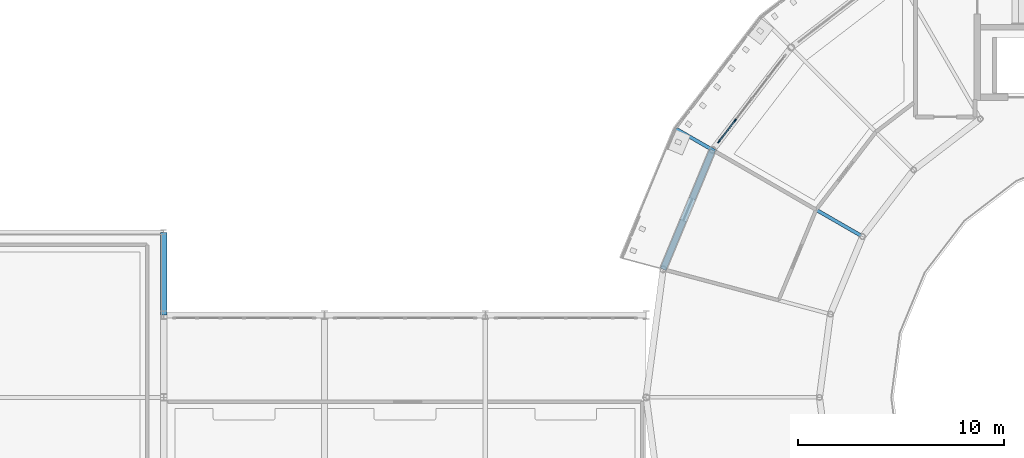
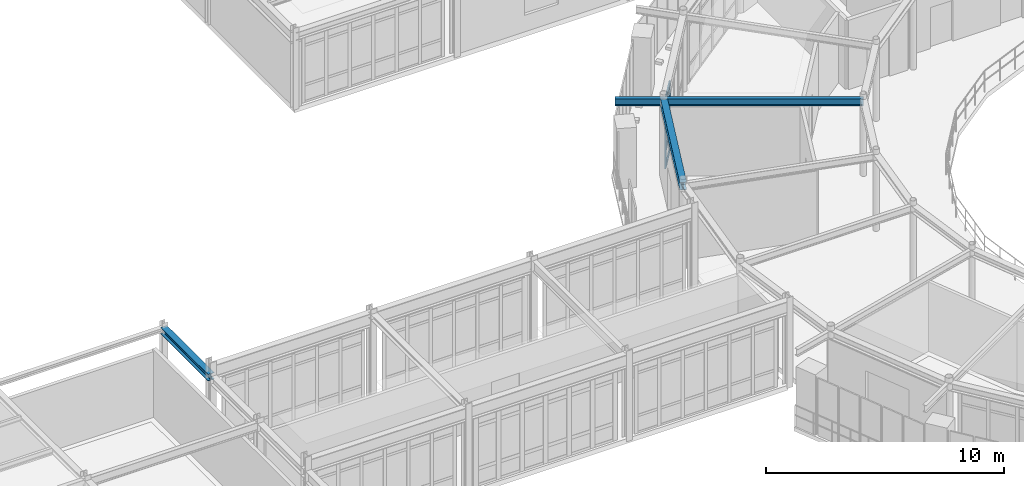
# One storey, part 43 of 90: 6 members, 3 beams, 1 element without a shape of its own.
"""IFC4 building model written with IfcOpenShell, lengths in metres."""

from ifc_helpers import new_model, si_unit, derived_unit, direction, frame, origin, origin_2d, place, context, subcontext, project, spatial, rectangle, i_section, extrude, material, layer, layer_set, material_profile, profile_set, type_object, element, aggregate, save


model = new_model("IFC4")

# Units and contexts
model_context = context("Model", 3, precision=1e-05, world=origin(), true_north=direction((0.0, 1.0)))
body_context = subcontext(model_context, "Body", "Model", "MODEL_VIEW")
ifc_project = project(units=[si_unit("LENGTHUNIT", "METRE"), si_unit("AREAUNIT", "SQUARE_METRE"), si_unit("VOLUMEUNIT", "CUBIC_METRE"), si_unit("PLANEANGLEUNIT", "RADIAN"), si_unit("MASSUNIT", "GRAM", prefix="KILO"), derived_unit("THERMALTRANSMITTANCEUNIT", [(si_unit("POWERUNIT", "WATT"), 1), (si_unit("AREAUNIT", "SQUARE_METRE"), -1), (si_unit("THERMODYNAMICTEMPERATUREUNIT", "KELVIN"), -1)])], contexts=[model_context])

# Site, building, storey
site_placement = place(None, origin())
site = spatial("IfcSite", under=ifc_project, at=site_placement, CompositionType="ELEMENT")
building_placement = place(site_placement, origin())
building = spatial("IfcBuilding", under=site, at=building_placement, Name="Yasenodar Specialist Clinic", CompositionType="ELEMENT")
storey_placement = place(building_placement, frame((0.0, 0.0, 9.0)))
storey = spatial("IfcBuildingStorey", under=building, at=storey_placement, Name="L02", CompositionType="ELEMENT", Elevation=9.0)

# Beams
ifc_material_1 = material(Name="Steel S355", Category="steel")
ifc_material_profile_1 = material_profile(ifc_material_1, i_section(OverallWidth=0.300048828125, OverallDepth=0.389892578125, WebThickness=0.010986328125, FlangeThickness=0.01904296875, FilletRadius=0.027099609375, at=origin_2d()), Name="HEA 400")
ifc_profile_set_1 = profile_set([ifc_material_profile_1], Name="Steel S355")
beam_type_1 = type_object("IfcBeamType", Name="BM-HEA400", PredefinedType="BEAM", material=ifc_profile_set_1)
beam_1_placement = place(storey_placement, frame((60.21533203125, 70.800048828125, 3.7548828125), z_axis=(-0.382663829839, -0.9238876519, 0.0), x_axis=(0.9238876519, -0.382663829839, 0.0)))
element("IfcBeam", 1, at=beam_1_placement, inside=storey, type_object=beam_type_1, Name="L02 Drum V1 Perimeter Ring Beam", PredefinedType="BEAM", context=body_context, shape_type="SweptSolid", body=[
    extrude(i_section(OverallWidth=0.300048828125, OverallDepth=0.389892578125, WebThickness=0.010986328125, FlangeThickness=0.01904296875, FilletRadius=0.027099609375, at=origin_2d()), origin(), (0.0, 0.0, 1.0), 6.26513671875),
])
ifc_material_profile_2 = material_profile(ifc_material_1, i_section(OverallWidth=0.300048828125, OverallDepth=0.340087890625, WebThickness=0.011962890625, FlangeThickness=0.021484375, FilletRadius=0.027099609375, at=origin_2d()), Name="HEB 340")
ifc_profile_set_2 = profile_set([ifc_material_profile_2], Name="Steel S355")
beam_type_2 = type_object("IfcBeamType", Name="BM-HEB340", PredefinedType="BEAM", material=ifc_profile_set_2)
beam_2_placement = place(storey_placement, frame((33.60009765625, 62.800048828125, 3.780029296875), z_axis=(0.0, 1.0, 0.0), x_axis=(-1.0, 0.0, 0.0)))
element("IfcBeam", 2, at=beam_2_placement, inside=storey, type_object=beam_type_2, Name="L02 Primary N-S Girder", PredefinedType="BEAM", context=body_context, shape_type="SweptSolid", body=[
    extrude(i_section(OverallWidth=0.300048828125, OverallDepth=0.340087890625, WebThickness=0.011962890625, FlangeThickness=0.021484375, FilletRadius=0.027099609375, at=origin_2d()), origin(), (0.0, 0.0, 1.0), 4.0),
])
ifc_material_profile_3 = material_profile(ifc_material_1, i_section(OverallWidth=0.169921875, OverallDepth=0.360107421875, WebThickness=0.008056640625, FlangeThickness=0.0126953125, FilletRadius=0.01806640625, at=origin_2d()), Name="IPE 360")
ifc_profile_set_3 = profile_set([ifc_material_profile_3], Name="Steel S355")
beam_type_3 = type_object("IfcBeamType", Name="BM-IPE360", PredefinedType="BEAM", material=ifc_profile_set_3)
beam_3_placement = place(storey_placement, frame((67.489990234375, 66.60009765625, 3.77001953125), z_axis=(-0.866033467715, 0.499986032603, 0.0), x_axis=(-0.499986032603, -0.866033467715, 0.0)))
element("IfcBeam", 3, at=beam_3_placement, inside=storey, type_object=beam_type_3, Name="L02 Drum V1 Radial Back-Spanned Cantilever Beam", PredefinedType="BEAM", context=body_context, shape_type="SweptSolid", body=[
    extrude(i_section(OverallWidth=0.169921875, OverallDepth=0.360107421875, WebThickness=0.008056640625, FlangeThickness=0.0126953125, FilletRadius=0.01806640625, at=origin_2d()), origin(), (0.0, 0.0, 1.0), 10.449951171875),
])

# Curtain wall, members
ifc_material_2 = material(Name="Bronze Anodized Aluminium and Triple Low-E Glass", Category="aluminium")
ifc_layer = layer(ifc_material_2, 0.1669921875)
ifc_layer_set = layer_set([ifc_layer], Name="Bronze Anodized Aluminium and Triple Low-E Glass")
curtain_wall_type = type_object("IfcCurtainWallType", Name="CW-SYS-01", PredefinedType="USERDEFINED", material=ifc_layer_set)
curtain_wall_placement = place(storey_placement, origin())
curtain_wall = element("IfcCurtainWall", 4, at=curtain_wall_placement, inside=storey, type_object=curtain_wall_type, Name="L02 Unitised Curtain Wall 032", ObjectType="UNITISED CURTAIN WALL", PredefinedType="USERDEFINED")
ifc_material_3 = material(Name="Bronze Anodized Aluminium", Category="aluminium")
ifc_material_profile_4 = material_profile(ifc_material_3, rectangle(XDim=0.06005859375, YDim=0.159912109375, at=origin_2d()), Name="CW-MULL 60x160")
ifc_profile_set_4 = profile_set([ifc_material_profile_4], Name="Bronze Anodized Aluminium")
member_type_1 = type_object("IfcMemberType", Name="CW-MULL-160", PredefinedType="MULLION", material=ifc_profile_set_4)
member_1_placement = place(storey_placement, frame((60.52587890625, 71.20458984375, 0.0), z_axis=(0.0, 0.0, 1.0), x_axis=(-0.793360558574, 0.608752021844, 0.0)))
member_1 = element("IfcMember", 5, at=member_1_placement, type_object=member_type_1, Name="CW-01 mullion 1", PredefinedType="MULLION", context=body_context, shape_type="SweptSolid", body=[
    extrude(rectangle(XDim=0.06005859375, YDim=0.159912109375, at=origin_2d()), origin(), (0.0, 0.0, 1.0), 3.5380859375),
])
member_2_placement = place(storey_placement, frame((61.31494140625, 72.233154296875, 0.0), z_axis=(0.0, 0.0, 1.0), x_axis=(-0.793360558574, 0.608752021844, 0.0)))
member_2 = element("IfcMember", 6, at=member_2_placement, type_object=member_type_1, Name="CW-01 mullion 2", PredefinedType="MULLION", context=body_context, shape_type="SweptSolid", body=[
    extrude(rectangle(XDim=0.06005859375, YDim=0.159912109375, at=origin_2d()), origin(), (0.0, 0.0, 1.0), 3.5380859375),
])
ifc_material_profile_5 = material_profile(ifc_material_3, rectangle(XDim=0.06005859375, YDim=0.1201171875, at=origin_2d()), Name="CW-TRAN 60x120")
ifc_profile_set_5 = profile_set([ifc_material_profile_5], Name="Bronze Anodized Aluminium")
member_type_2 = type_object("IfcMemberType", Name="CW-TRAN-120", PredefinedType="USERDEFINED", material=ifc_profile_set_5)
member_3_placement = place(storey_placement, frame((60.544189453125, 71.228515625, 0.030029296875), z_axis=(0.608717606417, 0.793386964626, 0.0), x_axis=(-0.793386964626, 0.608717606417, 0.0)))
member_3 = element("IfcMember", 7, at=member_3_placement, type_object=member_type_2, Name="CW-01 transom 1.1", ObjectType="TRANSOM", PredefinedType="USERDEFINED", context=body_context, shape_type="SweptSolid", body=[
    extrude(rectangle(XDim=0.06005859375, YDim=0.1201171875, at=origin_2d()), origin(), (0.0, 0.0, 1.0), 1.236083984375),
])
member_4_placement = place(storey_placement, frame((60.544189453125, 71.228515625, 0.89990234375), z_axis=(0.608717606417, 0.793386964626, 0.0), x_axis=(-0.793386964626, 0.608717606417, 0.0)))
member_4 = element("IfcMember", 8, at=member_4_placement, type_object=member_type_2, Name="CW-01 transom 1.2", ObjectType="TRANSOM", PredefinedType="USERDEFINED", context=body_context, shape_type="SweptSolid", body=[
    extrude(rectangle(XDim=0.06005859375, YDim=0.1201171875, at=origin_2d()), origin(), (0.0, 0.0, 1.0), 1.236083984375),
])
member_5_placement = place(storey_placement, frame((60.544189453125, 71.228515625, 2.93798828125), z_axis=(0.608717606417, 0.793386964626, 0.0), x_axis=(-0.793386964626, 0.608717606417, 0.0)))
member_5 = element("IfcMember", 9, at=member_5_placement, type_object=member_type_2, Name="CW-01 transom 1.3", ObjectType="TRANSOM", PredefinedType="USERDEFINED", context=body_context, shape_type="SweptSolid", body=[
    extrude(rectangle(XDim=0.06005859375, YDim=0.1201171875, at=origin_2d()), origin(), (0.0, 0.0, 1.0), 1.236083984375),
])
member_6_placement = place(storey_placement, frame((60.544189453125, 71.228515625, 3.508056640625), z_axis=(0.608717606417, 0.793386964626, 0.0), x_axis=(-0.793386964626, 0.608717606417, 0.0)))
member_6 = element("IfcMember", 10, at=member_6_placement, type_object=member_type_2, Name="CW-01 transom 1.4", ObjectType="TRANSOM", PredefinedType="USERDEFINED", context=body_context, shape_type="SweptSolid", body=[
    extrude(rectangle(XDim=0.06005859375, YDim=0.1201171875, at=origin_2d()), origin(), (0.0, 0.0, 1.0), 1.236083984375),
])
aggregate(curtain_wall, [member_1, member_2, member_3, member_4, member_5, member_6])

save(model, "model.ifc")
